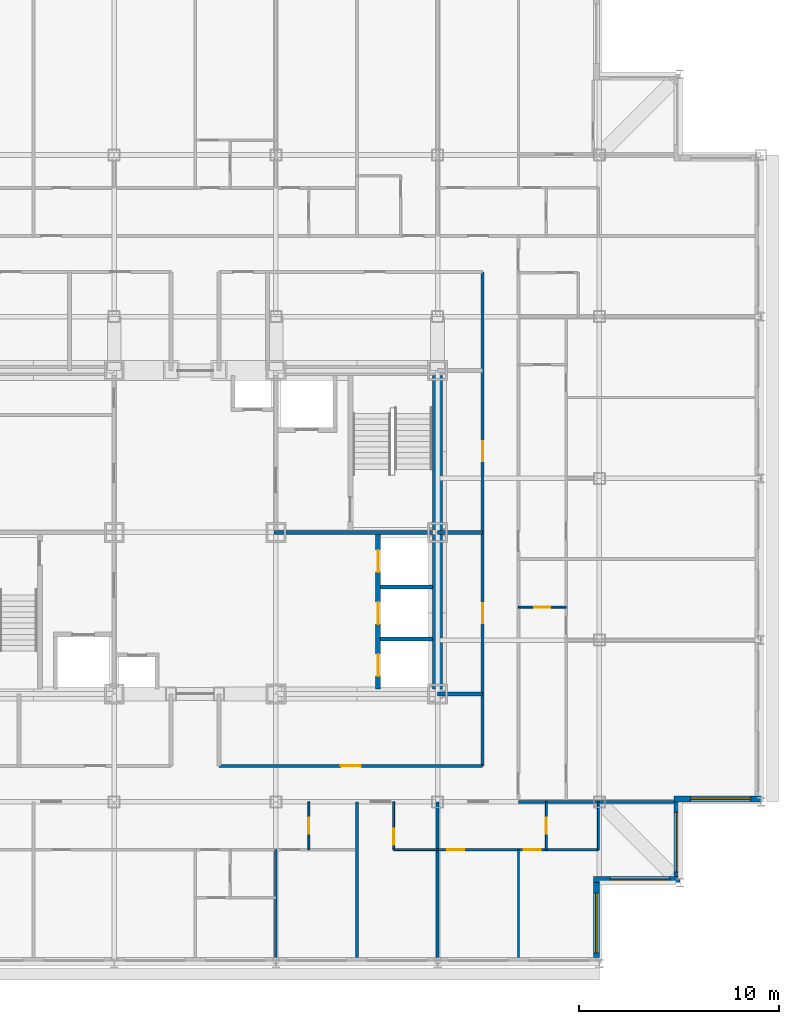
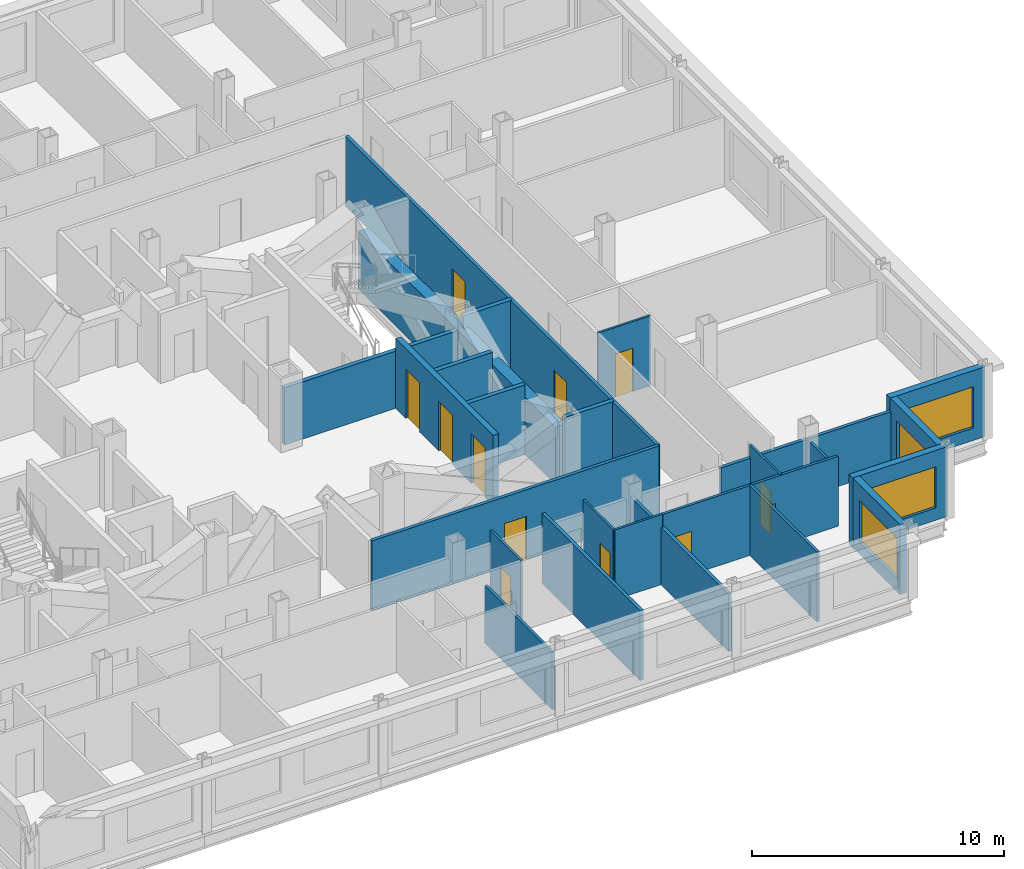
# One storey, part 7 of 12: 25 walls, 12 doors, 4 windows, 16 openings.
"""IFC4 building model written with IfcOpenShell, lengths in metres."""

import ifcopenshell
import ifcopenshell.guid

model = None  # the IFC model being written
_history = None  # IfcOwnerHistory: only IFC2X3 demands one
_inside = {}  # id of a spatial element -> (the spatial element, [elements in it])
_under = {}  # id of a project, library or spatial element -> (it, [spatial elements below it])
_declared = {}  # id of a project -> (the project, [libraries it declares])
_typed = {}  # id of a type object -> (the type object, [elements of that type])
_made_of = {}  # id of a material, layer set ... -> (it, [elements and type objects made of it])


def new_model(schema):
    """Start an empty IFC model of exactly this schema.

    Asked for "IFC4X3", IfcOpenShell would pick the latest addendum, in which some entities
    have other attributes; the version numbers below select the first issue.
    IFC2X3 requires an IfcOwnerHistory on every rooted entity: one is made here for all.
    """
    global model, _history
    if schema == "IFC4X3":
        model = ifcopenshell.file(schema_version=(4, 3, 0, 0))
    else:
        model = ifcopenshell.file(schema=schema)
    _inside.clear()
    _under.clear()
    _declared.clear()
    _typed.clear()
    _made_of.clear()
    _history = None
    if model.schema == "IFC2X3":
        org = make("IfcOrganization", Name="unknown")
        user = make(
            "IfcPersonAndOrganization",
            ThePerson=make("IfcPerson", FamilyName="unknown"),
            TheOrganization=org,
        )
        app = make(
            "IfcApplication",
            ApplicationDeveloper=org,
            Version="unknown",
            ApplicationFullName="unknown",
            ApplicationIdentifier="unknown",
        )
        _history = make(
            "IfcOwnerHistory",
            OwningUser=user,
            OwningApplication=app,
            ChangeAction="ADDED",
            CreationDate=0,
        )
    return model


def make(cls, **values):
    """One entity of the class cls with the attributes given. An attribute that is None is left unset."""
    return model.create_entity(
        cls, **{name: value for name, value in values.items() if value is not None}
    )


def rooted(cls, **values):
    """An entity with a GlobalId (a new one), such as an element, a storey or a relation."""
    return make(cls, GlobalId=ifcopenshell.guid.new(), OwnerHistory=_history, **values)


def si_unit(unit_type, name, prefix=None):
    """IfcSIUnit, for example si_unit("LENGTHUNIT", "METRE", prefix="MILLI")."""
    return make("IfcSIUnit", UnitType=unit_type, Prefix=prefix, Name=name)


def assignment(units):
    """IfcUnitAssignment: the units of a project."""
    return None if units is None else make("IfcUnitAssignment", Units=units)


def point(xyz):
    """IfcCartesianPoint."""
    return None if xyz is None else make("IfcCartesianPoint", Coordinates=xyz)


def direction(xyz):
    """IfcDirection."""
    return None if xyz is None else make("IfcDirection", DirectionRatios=xyz)


def frame(location, z_axis=None, x_axis=None):
    """IfcAxis2Placement3D, a coordinate frame: its origin and axes. An axis left out is left unset."""
    return make(
        "IfcAxis2Placement3D",
        Location=point(location),
        Axis=direction(z_axis),
        RefDirection=direction(x_axis),
    )


def frame_2d(location, x_axis=None):
    """IfcAxis2Placement2D, a coordinate frame in the plane: its origin and x axis."""
    return make(
        "IfcAxis2Placement2D", Location=point(location), RefDirection=direction(x_axis)
    )


def origin():
    """The frame at (0, 0, 0) with its axes left unset."""
    return frame((0.0, 0.0, 0.0))


def place(relative_to, where):
    """IfcLocalPlacement: puts the frame where relative to a parent placement (None: the world)."""
    return make(
        "IfcLocalPlacement", PlacementRelTo=relative_to, RelativePlacement=where
    )


def context(
    kind, dimensions, precision=None, world=None, true_north=None, identifier=None
):
    """IfcGeometricRepresentationContext, for example the 3D "Model" context."""
    return make(
        "IfcGeometricRepresentationContext",
        ContextIdentifier=identifier,
        ContextType=kind,
        CoordinateSpaceDimension=dimensions,
        Precision=precision,
        WorldCoordinateSystem=world,
        TrueNorth=true_north,
    )


def subcontext(parent, identifier, kind, view, scale=None):
    """IfcGeometricRepresentationSubContext, for example "Body" below "Model"."""
    return make(
        "IfcGeometricRepresentationSubContext",
        ContextIdentifier=identifier,
        ContextType=kind,
        ParentContext=parent,
        TargetScale=scale,
        TargetView=view,
    )


def project(units=None, contexts=None):
    """IfcProject with its units and contexts."""
    return rooted(
        "IfcProject",
        Name="project",
        RepresentationContexts=contexts,
        UnitsInContext=assignment(units),
    )


def spatial(cls, under=None, at=None, **own):
    """A site, building, storey or space (cls), placed at a placement, below another one or the project."""
    s = rooted(cls, ObjectPlacement=at, **own)
    if under is not None:
        _under.setdefault(under.id(), (under, []))[1].append(s)
    return s


def profile(cls, at=None, kind="AREA", **sizes):
    """A parametric profile (cls). Its sizes go by their IFC names, for example OverallWidth=200.0."""
    return make(cls, ProfileType=kind, Position=at, **sizes)


def rectangle(**sizes):
    """IfcRectangleProfileDef."""
    return profile("IfcRectangleProfileDef", **sizes)


def extrude(swept, where, along, depth):
    """IfcExtrudedAreaSolid: the profile swept, set in the frame where, extruded along a direction by depth."""
    return make(
        "IfcExtrudedAreaSolid",
        SweptArea=swept,
        Position=where,
        ExtrudedDirection=direction(along),
        Depth=depth,
    )


def shape(context_of_items, identifier, shape_type, items):
    """IfcShapeRepresentation: the items that make up one representation, for example the "Body"."""
    return make(
        "IfcShapeRepresentation",
        ContextOfItems=context_of_items,
        RepresentationIdentifier=identifier,
        RepresentationType=shape_type,
        Items=items,
    )


def material(Name=None, Category=None):
    """IfcMaterial."""
    return make("IfcMaterial", Name=Name, Category=Category)


def layer(
    of_material, thickness, ventilated=None, Name=None, Category=None, Priority=None
):
    """IfcMaterialLayer: one layer of a wall or slab, of a material (None: an air gap)."""
    return make(
        "IfcMaterialLayer",
        Material=of_material,
        LayerThickness=thickness,
        IsVentilated=ventilated,
        Name=Name,
        Category=Category,
        Priority=Priority,
    )


def layer_set(layers, Name=None):
    """IfcMaterialLayerSet."""
    return make("IfcMaterialLayerSet", MaterialLayers=layers, LayerSetName=Name)


def made_of(thing, what):
    """Note that an element or type object is made of a material, layer set ...; save() writes the relation."""
    if what is not None:
        _made_of.setdefault(what.id(), (what, []))[1].append(thing)
    return thing


def type_object(cls, material=None, **own):
    """A type object (cls), such as IfcWallType, which elements share."""
    return made_of(rooted(cls, **own), material)


def element(
    cls,
    number,
    at=None,
    inside=None,
    cuts=None,
    type_object=None,
    material=None,
    context=None,
    identifier="Body",
    shape_type=None,
    held_by="IfcProductDefinitionShape",
    body=None,
    shapes=None,
    **own,
):
    """One element of the class cls, such as IfcWall. Its Tag is "e" and its number.

    at: its placement. inside: the storey or other place that contains it. cuts: it is an
    opening in that element (IfcRelVoidsElement). A single representation is given by context,
    identifier, shape_type and body (its items); several are given by shapes. held_by: the class
    of the entity that holds the representations. save() writes the other relations.
    """
    e = rooted(cls, Tag="e%d" % number, ObjectPlacement=at, **own)
    if body is not None:
        shapes = [shape(context, identifier, shape_type, body)]
    if shapes is not None:
        e.Representation = make(held_by, Representations=shapes)
    if inside is not None:
        _inside.setdefault(inside.id(), (inside, []))[1].append(e)
    if cuts is not None:
        rooted(
            "IfcRelVoidsElement", RelatingBuildingElement=cuts, RelatedOpeningElement=e
        )
    if type_object is not None:
        _typed.setdefault(type_object.id(), (type_object, []))[1].append(e)
    return made_of(e, material)


def fill(opening, filler):
    """IfcRelFillsElement: the door or window that sits in an opening."""
    return rooted(
        "IfcRelFillsElement",
        RelatingOpeningElement=opening,
        RelatedBuildingElement=filler,
    )


def aggregate(whole, parts):
    """IfcRelAggregates: a whole, such as a stair, and the parts it consists of."""
    return rooted("IfcRelAggregates", RelatingObject=whole, RelatedObjects=parts)


def save(model, path):
    """Write the relations noted so far, then the file.

    IfcRelAggregates (storeys below a building ...), IfcRelContainedInSpatialStructure (elements
    in a storey), IfcRelDefinesByType, IfcRelAssociatesMaterial and IfcRelDeclares: one each for
    every whole, place, type object, material and project.
    """
    for whole, parts in _under.values():
        aggregate(whole, parts)
    for where, things in _inside.values():
        rooted(
            "IfcRelContainedInSpatialStructure",
            RelatedElements=things,
            RelatingStructure=where,
        )
    for kind, things in _typed.values():
        rooted("IfcRelDefinesByType", RelatedObjects=things, RelatingType=kind)
    for what, things in _made_of.values():
        rooted("IfcRelAssociatesMaterial", RelatedObjects=things, RelatingMaterial=what)
    for by, libraries in _declared.values():
        rooted("IfcRelDeclares", RelatingContext=by, RelatedDefinitions=libraries)
    model.write(path)


model = new_model("IFC4")

# Units and contexts
model_context = context("Model", 3, precision=1e-05, world=origin(), true_north=direction((0.0, 1.0)))
body_context = subcontext(model_context, "Body", "Model", "MODEL_VIEW")
ifc_project = project(units=[si_unit("LENGTHUNIT", "METRE"), si_unit("AREAUNIT", "SQUARE_METRE"), si_unit("VOLUMEUNIT", "CUBIC_METRE"), si_unit("PLANEANGLEUNIT", "RADIAN"), si_unit("MASSUNIT", "GRAM", prefix="KILO")], contexts=[model_context])

# Site, building, storey
site_placement = place(None, origin())
site = spatial("IfcSite", under=ifc_project, at=site_placement, CompositionType="ELEMENT")
building_placement = place(site_placement, origin())
building = spatial("IfcBuilding", under=site, at=building_placement, Name="Kopane Lantern Tower", CompositionType="ELEMENT")
storey_placement = place(building_placement, frame((0.0, 0.0, 210.0)))
storey = spatial("IfcBuildingStorey", under=building, at=storey_placement, Name="L54", CompositionType="ELEMENT", Elevation=210.0)

# Wall
ifc_material_1 = material(Name="Gypsum board on steel studs", Category="steel")
ifc_layer_1 = layer(ifc_material_1, 0.1201171875)
ifc_layer_set_1 = layer_set([ifc_layer_1], Name="APARTMENT INTERNAL WALL 120")
wall_type_1 = type_object("IfcWallType", Name="APARTMENT INTERNAL WALL 120", PredefinedType="PARTITIONING", material=ifc_layer_set_1)
wall_1_placement = place(storey_placement, frame((32.39990234375, 16.5, 0.0), z_axis=(0.0, 0.0, 1.0), x_axis=(0.0, -1.0, 0.0)))
element("IfcWall", 1, at=wall_1_placement, inside=storey, type_object=wall_type_1, Name="Apartment Internal Wall 120 L54", PredefinedType="PARTITIONING", context=body_context, shape_type="SweptSolid", body=[
    extrude(rectangle(XDim=5.39990234375, YDim=0.1201171875, at=frame_2d((2.699951171875, 0.0))), origin(), (0.0, 0.0, 1.0), 2.77783203125),
])

# Wall, openings, doors
wall_2_placement = place(storey_placement, frame((40.5, 16.5, 0.0), z_axis=(0.0, 0.0, 1.0), x_axis=(1.0, 0.0, 0.0)))
wall_2 = element("IfcWall", 2, at=wall_2_placement, inside=storey, type_object=wall_type_1, Name="Apartment Internal Wall 120 L54", PredefinedType="PARTITIONING", context=body_context, shape_type="SweptSolid", body=[
    extrude(rectangle(XDim=8.050048828125, YDim=0.1201171875, at=frame_2d((4.02490234375, 0.0))), origin(), (0.0, 0.0, 1.0), 3.389892578125),
])
opening_1_placement = place(wall_2_placement, frame((0.47509765625, 0.0, 0.0)))
opening_1 = element("IfcOpeningElement", 3, at=opening_1_placement, cuts=wall_2, Name="Opening L54-067", PredefinedType="OPENING", context=body_context, shape_type="SweptSolid", body=[
    extrude(rectangle(XDim=0.85009765625, YDim=2.10009765625, at=frame_2d((0.425048828125, 1.050048828125))), frame((0.0, 0.070068359375, 0.0), z_axis=(0.0, -1.0, 0.0), x_axis=(1.0, 0.0, 0.0)), (0.0, 0.0, 1.0), 0.14013671875),
])
opening_2_placement = place(wall_2_placement, frame((4.324951171875, 0.0, 0.0)))
opening_2 = element("IfcOpeningElement", 4, at=opening_2_placement, cuts=wall_2, Name="Opening L54-069", PredefinedType="OPENING", context=body_context, shape_type="SweptSolid", body=[
    extrude(rectangle(XDim=0.85009765625, YDim=2.10009765625, at=frame_2d((0.425048828125, 1.050048828125))), frame((0.0, 0.070068359375, 0.0), z_axis=(0.0, -1.0, 0.0), x_axis=(1.0, 0.0, 0.0)), (0.0, 0.0, 1.0), 0.14013671875),
])
ifc_material_2 = material(Name="Timber door set", Category="wood")
door_type_1 = type_object("IfcDoorType", Name="DOOR D4 850x2100", OperationType="SINGLE_SWING_LEFT", PredefinedType="DOOR", material=ifc_material_2)
door_1_placement = place(opening_1_placement, origin())
door_1 = element("IfcDoor", 5, at=door_1_placement, inside=storey, type_object=door_type_1, Name="Door L54-067", OperationType="SINGLE_SWING_LEFT", OverallHeight=2.10009765625, OverallWidth=0.85009765625, PredefinedType="DOOR", context=body_context, shape_type="SweptSolid", body=[
    extrude(rectangle(XDim=0.85009765625, YDim=2.10009765625, at=frame_2d((0.425048828125, 1.050048828125))), frame((0.0, 0.02490234375, 0.0), z_axis=(0.0, -1.0, 0.0), x_axis=(1.0, 0.0, 0.0)), (0.0, 0.0, 1.0), 0.050048828125),
])
fill(opening_1, door_1)
door_2_placement = place(opening_2_placement, origin())
door_2 = element("IfcDoor", 6, at=door_2_placement, inside=storey, type_object=door_type_1, Name="Door L54-069", OperationType="SINGLE_SWING_RIGHT", OverallHeight=2.10009765625, OverallWidth=0.85009765625, PredefinedType="DOOR", context=body_context, shape_type="SweptSolid", body=[
    extrude(rectangle(XDim=0.85009765625, YDim=2.10009765625, at=frame_2d((0.425048828125, 1.050048828125))), frame((0.0, 0.02490234375, 0.0), z_axis=(0.0, -1.0, 0.0), x_axis=(1.0, 0.0, 0.0)), (0.0, 0.0, 1.0), 0.050048828125),
])
fill(opening_2, door_2)

# Wall
wall_3_placement = place(storey_placement, frame((44.550048828125, 16.5, 0.0), z_axis=(0.0, 0.0, 1.0), x_axis=(0.0, -1.0, 0.0)))
element("IfcWall", 7, at=wall_3_placement, inside=storey, type_object=wall_type_1, Name="Apartment Internal Wall 120 L54", PredefinedType="PARTITIONING", context=body_context, shape_type="SweptSolid", body=[
    extrude(rectangle(XDim=5.39990234375, YDim=0.1201171875, at=frame_2d((2.699951171875, 0.0))), origin(), (0.0, 0.0, 1.0), 3.389892578125),
])

# Wall, opening, door
ifc_material_3 = material(Name="Moisture-resistant board on steel studs", Category="steel")
ifc_layer_2 = layer(ifc_material_3, 0.10009765625)
ifc_layer_set_2 = layer_set([ifc_layer_2], Name="BATHROOM WALL 100")
wall_type_2 = type_object("IfcWallType", Name="BATHROOM WALL 100", PredefinedType="PARTITIONING", material=ifc_layer_set_2)
wall_4_placement = place(storey_placement, frame((34.050048828125, 18.89990234375, 0.0), z_axis=(0.0, 0.0, 1.0), x_axis=(0.0, -1.0, 0.0)))
wall_4 = element("IfcWall", 8, at=wall_4_placement, inside=storey, type_object=wall_type_2, Name="Bathroom Wall 100 L54", PredefinedType="PARTITIONING", context=body_context, shape_type="SweptSolid", body=[
    extrude(rectangle(XDim=2.39990234375, YDim=0.10009765625, at=frame_2d((1.199951171875, 0.0))), origin(), (0.0, 0.0, 1.0), 3.389892578125),
])
opening_3_placement = place(wall_4_placement, frame((0.800048828125, 0.0, 0.0)))
opening_3 = element("IfcOpeningElement", 9, at=opening_3_placement, cuts=wall_4, Name="Opening L54-021", PredefinedType="OPENING", context=body_context, shape_type="SweptSolid", body=[
    extrude(rectangle(XDim=0.800048828125, YDim=2.10009765625, at=frame_2d((0.39990234375, 1.050048828125))), frame((0.0, 0.06005859375, 0.0), z_axis=(0.0, -1.0, 0.0), x_axis=(1.0, 0.0, 0.0)), (0.0, 0.0, 1.0), 0.1201171875),
])
ifc_material_4 = material(Name="Timber door set", Category="wood")
door_type_2 = type_object("IfcDoorType", Name="DOOR D2 800x2100", OperationType="SINGLE_SWING_LEFT", PredefinedType="DOOR", material=ifc_material_4)
door_3_placement = place(opening_3_placement, origin())
door_3 = element("IfcDoor", 10, at=door_3_placement, inside=storey, type_object=door_type_2, Name="Door L54-021", OperationType="SINGLE_SWING_LEFT", OverallHeight=2.10009765625, OverallWidth=0.800048828125, PredefinedType="DOOR", context=body_context, shape_type="SweptSolid", body=[
    extrude(rectangle(XDim=0.800048828125, YDim=2.10009765625, at=frame_2d((0.39990234375, 1.050048828125))), frame((0.0, 0.02490234375, 0.0), z_axis=(0.0, -1.0, 0.0), x_axis=(1.0, 0.0, 0.0)), (0.0, 0.0, 1.0), 0.050048828125),
])
fill(opening_3, door_3)

# Wall
wall_5_placement = place(storey_placement, frame((38.300048828125, 16.5, 0.0), z_axis=(0.0, 0.0, 1.0), x_axis=(1.0, 0.0, 0.0)))
element("IfcWall", 11, at=wall_5_placement, inside=storey, type_object=wall_type_2, Name="Bathroom Wall 100 L54", PredefinedType="PARTITIONING", context=body_context, shape_type="SweptSolid", body=[
    extrude(rectangle(XDim=2.199951171875, YDim=0.10009765625, at=frame_2d((1.10009765625, 0.0))), origin(), (0.0, 0.0, 1.0), 3.389892578125),
])

# Wall, opening, door
wall_6_placement = place(storey_placement, frame((38.300048828125, 18.89990234375, 0.0), z_axis=(0.0, 0.0, 1.0), x_axis=(0.0, -1.0, 0.0)))
wall_6 = element("IfcWall", 12, at=wall_6_placement, inside=storey, type_object=wall_type_2, Name="Bathroom Wall 100 L54", PredefinedType="PARTITIONING", context=body_context, shape_type="SweptSolid", body=[
    extrude(rectangle(XDim=2.39990234375, YDim=0.10009765625, at=frame_2d((1.199951171875, 0.0))), origin(), (0.0, 0.0, 1.0), 3.389892578125),
])
opening_4_placement = place(wall_6_placement, frame((1.35009765625, 0.0, 0.0)))
opening_4 = element("IfcOpeningElement", 13, at=opening_4_placement, cuts=wall_6, Name="Opening L54-027", PredefinedType="OPENING", context=body_context, shape_type="SweptSolid", body=[
    extrude(rectangle(XDim=0.800048828125, YDim=2.10009765625, at=frame_2d((0.39990234375, 1.050048828125))), frame((0.0, 0.06005859375, 0.0), z_axis=(0.0, -1.0, 0.0), x_axis=(1.0, 0.0, 0.0)), (0.0, 0.0, 1.0), 0.1201171875),
])
door_4_placement = place(opening_4_placement, origin())
door_4 = element("IfcDoor", 14, at=door_4_placement, inside=storey, type_object=door_type_2, Name="Door L54-027", OperationType="SINGLE_SWING_RIGHT", OverallHeight=2.10009765625, OverallWidth=0.800048828125, PredefinedType="DOOR", context=body_context, shape_type="SweptSolid", body=[
    extrude(rectangle(XDim=0.800048828125, YDim=2.10009765625, at=frame_2d((0.39990234375, 1.050048828125))), frame((0.0, 0.02490234375, 0.0), z_axis=(0.0, -1.0, 0.0), x_axis=(1.0, 0.0, 0.0)), (0.0, 0.0, 1.0), 0.050048828125),
])
fill(opening_4, door_4)

wall_7_placement = place(storey_placement, frame((44.550048828125, 28.64990234375, 0.0), z_axis=(0.0, 0.0, 1.0), x_axis=(1.0, 0.0, 0.0)))
wall_7 = element("IfcWall", 15, at=wall_7_placement, inside=storey, type_object=wall_type_2, Name="Bathroom Wall 100 L54", PredefinedType="PARTITIONING", context=body_context, shape_type="SweptSolid", body=[
    extrude(rectangle(XDim=2.39990234375, YDim=0.10009765625, at=frame_2d((1.199951171875, 0.0))), origin(), (0.0, 0.0, 1.0), 3.389892578125),
])
opening_5_placement = place(wall_7_placement, frame((0.800048828125, 0.0, 0.0)))
opening_5 = element("IfcOpeningElement", 16, at=opening_5_placement, cuts=wall_7, Name="Opening L54-053", PredefinedType="OPENING", context=body_context, shape_type="SweptSolid", body=[
    extrude(rectangle(XDim=0.800048828125, YDim=2.10009765625, at=frame_2d((0.39990234375, 1.050048828125))), frame((0.0, 0.06005859375, 0.0), z_axis=(0.0, -1.0, 0.0), x_axis=(1.0, 0.0, 0.0)), (0.0, 0.0, 1.0), 0.1201171875),
])
door_5_placement = place(opening_5_placement, origin())
door_5 = element("IfcDoor", 17, at=door_5_placement, inside=storey, type_object=door_type_2, Name="Door L54-053", OperationType="SINGLE_SWING_LEFT", OverallHeight=2.10009765625, OverallWidth=0.800048828125, PredefinedType="DOOR", context=body_context, shape_type="SweptSolid", body=[
    extrude(rectangle(XDim=0.800048828125, YDim=2.10009765625, at=frame_2d((0.39990234375, 1.050048828125))), frame((0.0, 0.02490234375, 0.0), z_axis=(0.0, -1.0, 0.0), x_axis=(1.0, 0.0, 0.0)), (0.0, 0.0, 1.0), 0.050048828125),
])
fill(opening_5, door_5)

wall_8_placement = place(storey_placement, frame((45.949951171875, 18.89990234375, 0.0), z_axis=(0.0, 0.0, 1.0), x_axis=(0.0, -1.0, 0.0)))
wall_8 = element("IfcWall", 18, at=wall_8_placement, inside=storey, type_object=wall_type_2, Name="Bathroom Wall 100 L54", PredefinedType="PARTITIONING", context=body_context, shape_type="SweptSolid", body=[
    extrude(rectangle(XDim=2.39990234375, YDim=0.10009765625, at=frame_2d((1.199951171875, 0.0))), origin(), (0.0, 0.0, 1.0), 3.389892578125),
])
opening_6_placement = place(wall_8_placement, frame((0.800048828125, 0.0, 0.0)))
opening_6 = element("IfcOpeningElement", 19, at=opening_6_placement, cuts=wall_8, Name="Opening L54-068", PredefinedType="OPENING", context=body_context, shape_type="SweptSolid", body=[
    extrude(rectangle(XDim=0.800048828125, YDim=2.10009765625, at=frame_2d((0.39990234375, 1.050048828125))), frame((0.0, 0.06005859375, 0.0), z_axis=(0.0, -1.0, 0.0), x_axis=(1.0, 0.0, 0.0)), (0.0, 0.0, 1.0), 0.1201171875),
])
door_6_placement = place(opening_6_placement, origin())
door_6 = element("IfcDoor", 20, at=door_6_placement, inside=storey, type_object=door_type_2, Name="Door L54-068", OperationType="SINGLE_SWING_LEFT", OverallHeight=2.10009765625, OverallWidth=0.800048828125, PredefinedType="DOOR", context=body_context, shape_type="SweptSolid", body=[
    extrude(rectangle(XDim=0.800048828125, YDim=2.10009765625, at=frame_2d((0.39990234375, 1.050048828125))), frame((0.0, 0.02490234375, 0.0), z_axis=(0.0, -1.0, 0.0), x_axis=(1.0, 0.0, 0.0)), (0.0, 0.0, 1.0), 0.050048828125),
])
fill(opening_6, door_6)

# Walls
wall_9_placement = place(storey_placement, frame((48.550048828125, 18.89990234375, 0.0), z_axis=(0.0, 0.0, 1.0), x_axis=(0.0, -1.0, 0.0)))
element("IfcWall", 21, at=wall_9_placement, inside=storey, type_object=wall_type_2, Name="Bathroom Wall 100 L54", PredefinedType="PARTITIONING", context=body_context, shape_type="SweptSolid", body=[
    extrude(rectangle(XDim=2.39990234375, YDim=0.10009765625, at=frame_2d((1.199951171875, 0.0))), origin(), (0.0, 0.0, 1.0), 2.77783203125),
])
ifc_material_5 = material(Name="Gypsum shaft wall EI 120", Category="gypsum")
ifc_layer_3 = layer(ifc_material_5, 0.5)
ifc_layer_set_3 = layer_set([ifc_layer_3], Name="CORE PERIMETER WALL 500 EI 120")
wall_type_3 = type_object("IfcWallType", Name="CORE PERIMETER WALL 500 EI 120", PredefinedType="SOLIDWALL", material=ifc_layer_set_3)
wall_10_placement = place(storey_placement, frame((40.5, 24.550048828125, 0.0), z_axis=(0.0, 0.0, 1.0), x_axis=(0.0, 1.0, 0.0)))
element("IfcWall", 22, at=wall_10_placement, inside=storey, type_object=wall_type_3, Name="Core shaft wall L54 PE", PredefinedType="SOLIDWALL", context=body_context, shape_type="SweptSolid", body=[
    extrude(rectangle(XDim=15.699951171875, YDim=0.5, at=frame_2d((7.85009765625, 0.0))), origin(), (0.0, 0.0, 1.0), 2.77783203125),
])

# Wall, openings, doors
ifc_material_6 = material(Name="Gypsum shaft wall EI 120", Category="gypsum")
ifc_layer_4 = layer(ifc_material_6, 0.25)
ifc_layer_set_4 = layer_set([ifc_layer_4], Name="CORE SHAFT WALL 250 EI 120")
wall_type_4 = type_object("IfcWallType", Name="CORE SHAFT WALL 250 EI 120", PredefinedType="SOLIDWALL", material=ifc_layer_set_4)
wall_11_placement = place(storey_placement, frame((37.52490234375, 24.550048828125, 0.0), z_axis=(0.0, 0.0, 1.0), x_axis=(0.0, 1.0, 0.0)))
wall_11 = element("IfcWall", 23, at=wall_11_placement, inside=storey, type_object=wall_type_4, Name="Core shaft wall L54 XLR", PredefinedType="SOLIDWALL", context=body_context, shape_type="SweptSolid", body=[
    extrude(rectangle(XDim=7.75, YDim=0.25, at=frame_2d((3.875, 0.0))), origin(), (0.0, 0.0, 1.0), 3.389892578125),
])
opening_7_placement = place(wall_11_placement, frame((0.64990234375, 0.0, 0.0)))
opening_7 = element("IfcOpeningElement", 24, at=opening_7_placement, cuts=wall_11, Name="Opening 54.LD-LR1", PredefinedType="OPENING", context=body_context, shape_type="SweptSolid", body=[
    extrude(rectangle(XDim=1.10009765625, YDim=2.39990234375, at=frame_2d((0.550048828125, 1.199951171875))), frame((0.0, 0.135009765625, 0.0), z_axis=(0.0, -1.0, 0.0), x_axis=(1.0, 0.0, 0.0)), (0.0, 0.0, 1.0), 0.27001953125),
])
opening_8_placement = place(wall_11_placement, frame((3.25, 0.0, 0.0)))
opening_8 = element("IfcOpeningElement", 25, at=opening_8_placement, cuts=wall_11, Name="Opening 54.LD-LR2", PredefinedType="OPENING", context=body_context, shape_type="SweptSolid", body=[
    extrude(rectangle(XDim=1.10009765625, YDim=2.39990234375, at=frame_2d((0.550048828125, 1.199951171875))), frame((0.0, 0.135009765625, 0.0), z_axis=(0.0, -1.0, 0.0), x_axis=(1.0, 0.0, 0.0)), (0.0, 0.0, 1.0), 0.27001953125),
])
opening_9_placement = place(wall_11_placement, frame((5.85009765625, 0.0, 0.0)))
opening_9 = element("IfcOpeningElement", 26, at=opening_9_placement, cuts=wall_11, Name="Opening 54.LD-LR3", PredefinedType="OPENING", context=body_context, shape_type="SweptSolid", body=[
    extrude(rectangle(XDim=1.10009765625, YDim=2.39990234375, at=frame_2d((0.550048828125, 1.199951171875))), frame((0.0, 0.135009765625, 0.0), z_axis=(0.0, -1.0, 0.0), x_axis=(1.0, 0.0, 0.0)), (0.0, 0.0, 1.0), 0.27001953125),
])
ifc_material_7 = material(Name="Steel door set", Category="steel")
door_type_3 = type_object("IfcDoorType", Name="LIFT LANDING DOOR 1100x2400 FD60", OperationType="DOUBLE_DOOR_SLIDING", PredefinedType="DOOR", material=ifc_material_7)
door_7_placement = place(opening_7_placement, origin())
door_7 = element("IfcDoor", 27, at=door_7_placement, inside=storey, type_object=door_type_3, Name="Landing door LR1 L54", OperationType="DOUBLE_DOOR_SLIDING", OverallHeight=2.39990234375, OverallWidth=1.10009765625, PredefinedType="DOOR", context=body_context, shape_type="SweptSolid", body=[
    extrude(rectangle(XDim=1.10009765625, YDim=2.39990234375, at=frame_2d((0.550048828125, 1.199951171875))), frame((0.0, 0.02490234375, 0.0), z_axis=(0.0, -1.0, 0.0), x_axis=(1.0, 0.0, 0.0)), (0.0, 0.0, 1.0), 0.050048828125),
])
fill(opening_7, door_7)
door_8_placement = place(opening_8_placement, origin())
door_8 = element("IfcDoor", 28, at=door_8_placement, inside=storey, type_object=door_type_3, Name="Landing door LR2 L54", OperationType="DOUBLE_DOOR_SLIDING", OverallHeight=2.39990234375, OverallWidth=1.10009765625, PredefinedType="DOOR", context=body_context, shape_type="SweptSolid", body=[
    extrude(rectangle(XDim=1.10009765625, YDim=2.39990234375, at=frame_2d((0.550048828125, 1.199951171875))), frame((0.0, 0.02490234375, 0.0), z_axis=(0.0, -1.0, 0.0), x_axis=(1.0, 0.0, 0.0)), (0.0, 0.0, 1.0), 0.050048828125),
])
fill(opening_8, door_8)
door_9_placement = place(opening_9_placement, origin())
door_9 = element("IfcDoor", 29, at=door_9_placement, inside=storey, type_object=door_type_3, Name="Landing door LR3 L54", OperationType="DOUBLE_DOOR_SLIDING", OverallHeight=2.39990234375, OverallWidth=1.10009765625, PredefinedType="DOOR", context=body_context, shape_type="SweptSolid", body=[
    extrude(rectangle(XDim=1.10009765625, YDim=2.39990234375, at=frame_2d((0.550048828125, 1.199951171875))), frame((0.0, 0.02490234375, 0.0), z_axis=(0.0, -1.0, 0.0), x_axis=(1.0, 0.0, 0.0)), (0.0, 0.0, 1.0), 0.050048828125),
])
fill(opening_9, door_9)

ifc_material_8 = material(Name="Gypsum board on steel studs", Category="steel")
ifc_layer_5 = layer(ifc_material_8, 0.14990234375)
ifc_layer_set_5 = layer_set([ifc_layer_5], Name="CORRIDOR WALL 150 EI 60")
wall_type_5 = type_object("IfcWallType", Name="CORRIDOR WALL 150 EI 60", PredefinedType="PARTITIONING", material=ifc_layer_set_5)
wall_12_placement = place(storey_placement, frame((42.75, 20.699951171875, 0.0), z_axis=(0.0, 0.0, 1.0), x_axis=(0.0, 1.0, 0.0)))
wall_12 = element("IfcWall", 30, at=wall_12_placement, inside=storey, type_object=wall_type_5, Name="Corridor Wall 150 Ei 60 L54", PredefinedType="PARTITIONING", context=body_context, shape_type="SweptSolid", body=[
    extrude(rectangle(XDim=24.75, YDim=0.14990234375, at=frame_2d((12.375, 0.0))), origin(), (0.0, 0.0, 1.0), 3.389892578125),
])
opening_10_placement = place(wall_12_placement, frame((7.14990234375, 0.0, 0.0)))
opening_10 = element("IfcOpeningElement", 31, at=opening_10_placement, cuts=wall_12, Name="Opening L54-005", PredefinedType="OPENING", context=body_context, shape_type="SweptSolid", body=[
    extrude(rectangle(XDim=1.0, YDim=2.10009765625, at=frame_2d((0.5, 1.050048828125))), frame((0.0, 0.0849609375, 0.0), z_axis=(0.0, -1.0, 0.0), x_axis=(1.0, 0.0, 0.0)), (0.0, 0.0, 1.0), 0.169921875),
])
opening_11_placement = place(wall_12_placement, frame((15.25, 0.0, 0.0)))
opening_11 = element("IfcOpeningElement", 32, at=opening_11_placement, cuts=wall_12, Name="Opening L54-006", PredefinedType="OPENING", context=body_context, shape_type="SweptSolid", body=[
    extrude(rectangle(XDim=1.0, YDim=2.10009765625, at=frame_2d((0.5, 1.050048828125))), frame((0.0, 0.0849609375, 0.0), z_axis=(0.0, -1.0, 0.0), x_axis=(1.0, 0.0, 0.0)), (0.0, 0.0, 1.0), 0.169921875),
])
ifc_material_9 = material(Name="Steel door set", Category="steel")
door_type_4 = type_object("IfcDoorType", Name="DOOR D5 1000x2100 FD60", OperationType="SINGLE_SWING_LEFT", PredefinedType="DOOR", material=ifc_material_9)
door_10_placement = place(opening_10_placement, origin())
door_10 = element("IfcDoor", 33, at=door_10_placement, inside=storey, type_object=door_type_4, Name="Door L54-005", OperationType="SINGLE_SWING_LEFT", OverallHeight=2.10009765625, OverallWidth=1.0, PredefinedType="DOOR", context=body_context, shape_type="SweptSolid", body=[
    extrude(rectangle(XDim=1.0, YDim=2.10009765625, at=frame_2d((0.5, 1.050048828125))), frame((0.0, 0.02490234375, 0.0), z_axis=(0.0, -1.0, 0.0), x_axis=(1.0, 0.0, 0.0)), (0.0, 0.0, 1.0), 0.050048828125),
])
fill(opening_10, door_10)
door_11_placement = place(opening_11_placement, origin())
door_11 = element("IfcDoor", 34, at=door_11_placement, inside=storey, type_object=door_type_4, Name="Door L54-006", OperationType="SINGLE_SWING_RIGHT", OverallHeight=2.10009765625, OverallWidth=1.0, PredefinedType="DOOR", context=body_context, shape_type="SweptSolid", body=[
    extrude(rectangle(XDim=1.0, YDim=2.10009765625, at=frame_2d((0.5, 1.050048828125))), frame((0.0, 0.02490234375, 0.0), z_axis=(0.0, -1.0, 0.0), x_axis=(1.0, 0.0, 0.0)), (0.0, 0.0, 1.0), 0.050048828125),
])
fill(opening_11, door_11)

# Wall, opening, door
wall_13_placement = place(storey_placement, frame((29.56005859375, 20.699951171875, 0.0), z_axis=(0.0, 0.0, 1.0), x_axis=(1.0, 0.0, 0.0)))
wall_13 = element("IfcWall", 35, at=wall_13_placement, inside=storey, type_object=wall_type_5, Name="Corridor Wall 150 Ei 60 L54", PredefinedType="PARTITIONING", context=body_context, shape_type="SweptSolid", body=[
    extrude(rectangle(XDim=13.18994140625, YDim=0.14990234375, at=frame_2d((6.594970703125, 0.0))), origin(), (0.0, 0.0, 1.0), 3.389892578125),
])
opening_12_placement = place(wall_13_placement, frame((6.090087890625, 0.0, 0.0)))
opening_12 = element("IfcOpeningElement", 36, at=opening_12_placement, cuts=wall_13, Name="Opening L54-010", PredefinedType="OPENING", context=body_context, shape_type="SweptSolid", body=[
    extrude(rectangle(XDim=1.0, YDim=2.10009765625, at=frame_2d((0.5, 1.050048828125))), frame((0.0, 0.0849609375, 0.0), z_axis=(0.0, -1.0, 0.0), x_axis=(1.0, 0.0, 0.0)), (0.0, 0.0, 1.0), 0.169921875),
])
door_12_placement = place(opening_12_placement, origin())
door_12 = element("IfcDoor", 37, at=door_12_placement, inside=storey, type_object=door_type_4, Name="Door L54-010", OperationType="SINGLE_SWING_LEFT", OverallHeight=2.10009765625, OverallWidth=1.0, PredefinedType="DOOR", context=body_context, shape_type="SweptSolid", body=[
    extrude(rectangle(XDim=1.0, YDim=2.10009765625, at=frame_2d((0.5, 1.050048828125))), frame((0.0, 0.02490234375, 0.0), z_axis=(0.0, -1.0, 0.0), x_axis=(1.0, 0.0, 0.0)), (0.0, 0.0, 1.0), 0.050048828125),
])
fill(opening_12, door_12)

# Walls
ifc_material_10 = material(Name="Gypsum board on steel studs", Category="steel")
ifc_layer_6 = layer(ifc_material_10, 0.14990234375)
ifc_layer_set_6 = layer_set([ifc_layer_6], Name="DEMISING WALL 150 EI 60")
wall_type_6 = type_object("IfcWallType", Name="DEMISING WALL 150 EI 60", PredefinedType="PARTITIONING", material=ifc_layer_set_6)
wall_14_placement = place(storey_placement, frame((36.449951171875, 18.89990234375, 0.0), z_axis=(0.0, 0.0, 1.0), x_axis=(0.0, -1.0, 0.0)))
element("IfcWall", 38, at=wall_14_placement, inside=storey, type_object=wall_type_6, Name="Demising Wall 150 Ei 60 L54", PredefinedType="PARTITIONING", context=body_context, shape_type="SweptSolid", body=[
    extrude(rectangle(XDim=7.7998046875, YDim=0.14990234375, at=frame_2d((3.89990234375, 0.0))), origin(), (0.0, 0.0, 1.0), 3.389892578125),
])
wall_15_placement = place(storey_placement, frame((44.550048828125, 18.89990234375, 0.0), z_axis=(0.0, 0.0, 1.0), x_axis=(1.0, 0.0, 0.0)))
element("IfcWall", 39, at=wall_15_placement, inside=storey, type_object=wall_type_6, Name="Demising Wall 150 Ei 60 L54", PredefinedType="PARTITIONING", context=body_context, shape_type="SweptSolid", body=[
    extrude(rectangle(XDim=7.800048828125, YDim=0.14990234375, at=frame_2d((3.89990234375, 0.0))), origin(), (0.0, 0.0, 1.0), 2.77783203125),
])
wall_16_placement = place(storey_placement, frame((40.5, 18.89990234375, 0.0), z_axis=(0.0, 0.0, 1.0), x_axis=(0.0, -1.0, 0.0)))
element("IfcWall", 40, at=wall_16_placement, inside=storey, type_object=wall_type_6, Name="Demising Wall 150 Ei 60 L54", PredefinedType="PARTITIONING", context=body_context, shape_type="SweptSolid", body=[
    extrude(rectangle(XDim=7.7998046875, YDim=0.14990234375, at=frame_2d((3.89990234375, 0.0))), origin(), (0.0, 0.0, 1.0), 2.77783203125),
])

# Wall, opening, window
ifc_material_11 = material(Name="Terracotta rainscreen on light steel framing", Category="masonry")
ifc_layer_7 = layer(ifc_material_11, 0.300048828125)
ifc_layer_set_7 = layer_set([ifc_layer_7], Name="EXTERNAL WALL EW1 300 TERRACOTTA")
wall_type_7 = type_object("IfcWallType", Name="EXTERNAL WALL EW1 300 TERRACOTTA", PredefinedType="SOLIDWALL", material=ifc_layer_set_7)
wall_17_placement = place(storey_placement, frame((48.449951171875, 11.10009765625, 0.0), z_axis=(0.0, 0.0, 1.0), x_axis=(0.0, 1.0, 0.0)))
wall_17 = element("IfcWall", 41, at=wall_17_placement, inside=storey, type_object=wall_type_7, Name="External wall E L54", PredefinedType="SOLIDWALL", context=body_context, shape_type="SweptSolid", body=[
    extrude(rectangle(XDim=3.75, YDim=0.300048828125, at=frame_2d((1.875, 0.0))), origin(), (0.0, 0.0, 1.0), 3.389892578125),
])
opening_13_placement = place(wall_17_placement, frame((0.22509765625, 0.0, 0.60009765625)))
opening_13 = element("IfcOpeningElement", 42, at=opening_13_placement, cuts=wall_17, Name="Opening WR300200", PredefinedType="OPENING", context=body_context, shape_type="SweptSolid", body=[
    extrude(rectangle(XDim=3.0, YDim=2.0, at=frame_2d((1.5, 1.0))), frame((0.0, 0.159912109375, 0.0), z_axis=(0.0, -1.0, 0.0), x_axis=(1.0, 0.0, 0.0)), (0.0, 0.0, 1.0), 0.320068359375),
])
ifc_material_12 = material(Name="Aluminium and clear glass", Category="aluminium")
window_type = type_object("IfcWindowType", Name="RIBBON WINDOW WR300200 3000x2000", PartitioningType="SINGLE_PANEL", PredefinedType="WINDOW", material=ifc_material_12)
window_1_placement = place(opening_13_placement, origin())
window_1 = element("IfcWindow", 43, at=window_1_placement, inside=storey, type_object=window_type, Name="Window E L54", OverallHeight=2.0, OverallWidth=3.0, PartitioningType="SINGLE_PANEL", PredefinedType="WINDOW", context=body_context, shape_type="SweptSolid", body=[
    extrude(rectangle(XDim=3.0, YDim=2.0, at=frame_2d((1.5, 1.0))), frame((0.0, 0.030029296875, 0.0), z_axis=(0.0, -1.0, 0.0), x_axis=(1.0, 0.0, 0.0)), (0.0, 0.0, 1.0), 0.06005859375),
])
fill(opening_13, window_1)

wall_18_placement = place(storey_placement, frame((48.300048828125, 15.0, 0.0), z_axis=(0.0, 0.0, 1.0), x_axis=(1.0, 0.0, 0.0)))
wall_18 = element("IfcWall", 44, at=wall_18_placement, inside=storey, type_object=wall_type_7, Name="External wall S L54", PredefinedType="SOLIDWALL", context=body_context, shape_type="SweptSolid", body=[
    extrude(rectangle(XDim=4.349853515625, YDim=0.300048828125, at=frame_2d((2.1748046875, 0.0))), origin(), (0.0, 0.0, 1.0), 3.389892578125),
])
opening_14_placement = place(wall_18_placement, frame((0.824951171875, 0.0, 0.60009765625)))
opening_14 = element("IfcOpeningElement", 45, at=opening_14_placement, cuts=wall_18, Name="Opening WR300200", PredefinedType="OPENING", context=body_context, shape_type="SweptSolid", body=[
    extrude(rectangle(XDim=3.0, YDim=2.0, at=frame_2d((1.5, 1.0))), frame((0.0, 0.159912109375, 0.0), z_axis=(0.0, -1.0, 0.0), x_axis=(1.0, 0.0, 0.0)), (0.0, 0.0, 1.0), 0.320068359375),
])
window_2_placement = place(opening_14_placement, origin())
window_2 = element("IfcWindow", 46, at=window_2_placement, inside=storey, type_object=window_type, Name="Window S L54", OverallHeight=2.0, OverallWidth=3.0, PartitioningType="SINGLE_PANEL", PredefinedType="WINDOW", context=body_context, shape_type="SweptSolid", body=[
    extrude(rectangle(XDim=3.0, YDim=2.0, at=frame_2d((1.5, 1.0))), frame((0.0, 0.030029296875, 0.0), z_axis=(0.0, -1.0, 0.0), x_axis=(1.0, 0.0, 0.0)), (0.0, 0.0, 1.0), 0.06005859375),
])
fill(opening_14, window_2)

wall_19_placement = place(storey_placement, frame((52.5, 15.14990234375, 0.0), z_axis=(0.0, 0.0, 1.0), x_axis=(0.0, 1.0, 0.0)))
wall_19 = element("IfcWall", 47, at=wall_19_placement, inside=storey, type_object=wall_type_7, Name="External wall E L54", PredefinedType="SOLIDWALL", context=body_context, shape_type="SweptSolid", body=[
    extrude(rectangle(XDim=3.75, YDim=0.300048828125, at=frame_2d((1.875, 0.0))), origin(), (0.0, 0.0, 1.0), 3.389892578125),
])
opening_15_placement = place(wall_19_placement, frame((0.22509765625, 0.0, 0.60009765625)))
opening_15 = element("IfcOpeningElement", 48, at=opening_15_placement, cuts=wall_19, Name="Opening WR300200", PredefinedType="OPENING", context=body_context, shape_type="SweptSolid", body=[
    extrude(rectangle(XDim=3.0, YDim=2.0, at=frame_2d((1.5, 1.0))), frame((0.0, 0.159912109375, 0.0), z_axis=(0.0, -1.0, 0.0), x_axis=(1.0, 0.0, 0.0)), (0.0, 0.0, 1.0), 0.320068359375),
])
window_3_placement = place(opening_15_placement, origin())
window_3 = element("IfcWindow", 49, at=window_3_placement, inside=storey, type_object=window_type, Name="Window E L54", OverallHeight=2.0, OverallWidth=3.0, PartitioningType="SINGLE_PANEL", PredefinedType="WINDOW", context=body_context, shape_type="SweptSolid", body=[
    extrude(rectangle(XDim=3.0, YDim=2.0, at=frame_2d((1.5, 1.0))), frame((0.0, 0.030029296875, 0.0), z_axis=(0.0, -1.0, 0.0), x_axis=(1.0, 0.0, 0.0)), (0.0, 0.0, 1.0), 0.06005859375),
])
fill(opening_15, window_3)

wall_20_placement = place(storey_placement, frame((52.35009765625, 19.050048828125, 0.0), z_axis=(0.0, 0.0, 1.0), x_axis=(1.0, 0.0, 0.0)))
wall_20 = element("IfcWall", 50, at=wall_20_placement, inside=storey, type_object=wall_type_7, Name="External wall S L54", PredefinedType="SOLIDWALL", context=body_context, shape_type="SweptSolid", body=[
    extrude(rectangle(XDim=4.349853515625, YDim=0.300048828125, at=frame_2d((2.1748046875, 0.0))), origin(), (0.0, 0.0, 1.0), 3.389892578125),
])
opening_16_placement = place(wall_20_placement, frame((0.824951171875, 0.0, 0.60009765625)))
opening_16 = element("IfcOpeningElement", 51, at=opening_16_placement, cuts=wall_20, Name="Opening WR300200", PredefinedType="OPENING", context=body_context, shape_type="SweptSolid", body=[
    extrude(rectangle(XDim=3.0, YDim=2.0, at=frame_2d((1.5, 1.0))), frame((0.0, 0.159912109375, 0.0), z_axis=(0.0, -1.0, 0.0), x_axis=(1.0, 0.0, 0.0)), (0.0, 0.0, 1.0), 0.320068359375),
])
window_4_placement = place(opening_16_placement, origin())
window_4 = element("IfcWindow", 52, at=window_4_placement, inside=storey, type_object=window_type, Name="Window S L54", OverallHeight=2.0, OverallWidth=3.0, PartitioningType="SINGLE_PANEL", PredefinedType="WINDOW", context=body_context, shape_type="SweptSolid", body=[
    extrude(rectangle(XDim=3.0, YDim=2.0, at=frame_2d((1.5, 1.0))), frame((0.0, 0.030029296875, 0.0), z_axis=(0.0, -1.0, 0.0), x_axis=(1.0, 0.0, 0.0)), (0.0, 0.0, 1.0), 0.06005859375),
])
fill(opening_16, window_4)

# Walls
ifc_material_13 = material(Name="Concrete masonry", Category="masonry")
ifc_layer_8 = layer(ifc_material_13, 0.199951171875)
ifc_layer_set_8 = layer_set([ifc_layer_8], Name="PLANT ROOM WALL 200 EI 120")
wall_type_8 = type_object("IfcWallType", Name="PLANT ROOM WALL 200 EI 120", PredefinedType="SOLIDWALL", material=ifc_layer_set_8)
for number, where, z_axis, x_axis, name in (
    (53, (40.5, 32.39990234375, 0.0), (0.0, 0.0, 1.0), (1.0, 0.0, 0.0), "Plant Room Wall 200 Ei 120 L54"),
    (54, (40.5, 24.300048828125, 0.0), (0.0, 0.0, 1.0), (1.0, 0.0, 0.0), "Plant Room Wall 200 Ei 120 L54"),
):
    element("IfcWall", number, at=place(storey_placement, frame(where, z_axis=z_axis, x_axis=x_axis)), inside=storey, type_object=wall_type_8, Name=name, PredefinedType="SOLIDWALL", context=body_context, shape_type="SweptSolid", body=[
        extrude(rectangle(XDim=2.25, YDim=0.199951171875, at=frame_2d((1.125, 0.0))), origin(), (0.0, 0.0, 1.0), 3.389892578125),
    ])
ifc_material_14 = material(Name="Gypsum shaft wall EI 120", Category="gypsum")
ifc_layer_9 = layer(ifc_material_14, 0.199951171875)
ifc_layer_set_9 = layer_set([ifc_layer_9], Name="SHAFT WALL 200 EI 120")
wall_type_9 = type_object("IfcWallType", Name="SHAFT WALL 200 EI 120", PredefinedType="SOLIDWALL", material=ifc_layer_set_9)
wall_21_placement = place(storey_placement, frame((32.300048828125, 32.39990234375, 0.0), z_axis=(0.0, 0.0, 1.0), x_axis=(1.0, 0.0, 0.0)))
element("IfcWall", 55, at=wall_21_placement, inside=storey, type_object=wall_type_9, Name="Core shaft wall L54 Y324E", PredefinedType="SOLIDWALL", context=body_context, shape_type="SweptSolid", body=[
    extrude(rectangle(XDim=7.949951171875, YDim=0.199951171875, at=frame_2d((3.97509765625, 0.0))), origin(), (0.0, 0.0, 1.0), 2.77783203125),
])
for number, where, z_axis, x_axis, name in (
    (56, (37.64990234375, 27.050048828125, 0.0), (0.0, 0.0, 1.0), (1.0, 0.0, 0.0), "Core shaft wall L54 YLR12"),
    (57, (37.64990234375, 29.64990234375, 0.0), (0.0, 0.0, 1.0), (1.0, 0.0, 0.0), "Core shaft wall L54 YLR23"),
):
    element("IfcWall", number, at=place(storey_placement, frame(where, z_axis=z_axis, x_axis=x_axis)), inside=storey, type_object=wall_type_9, Name=name, PredefinedType="SOLIDWALL", context=body_context, shape_type="SweptSolid", body=[
        extrude(rectangle(XDim=2.60009765625, YDim=0.199951171875, at=frame_2d((1.300048828125, 0.0))), origin(), (0.0, 0.0, 1.0), 3.389892578125),
    ])

save(model, "model.ifc")
